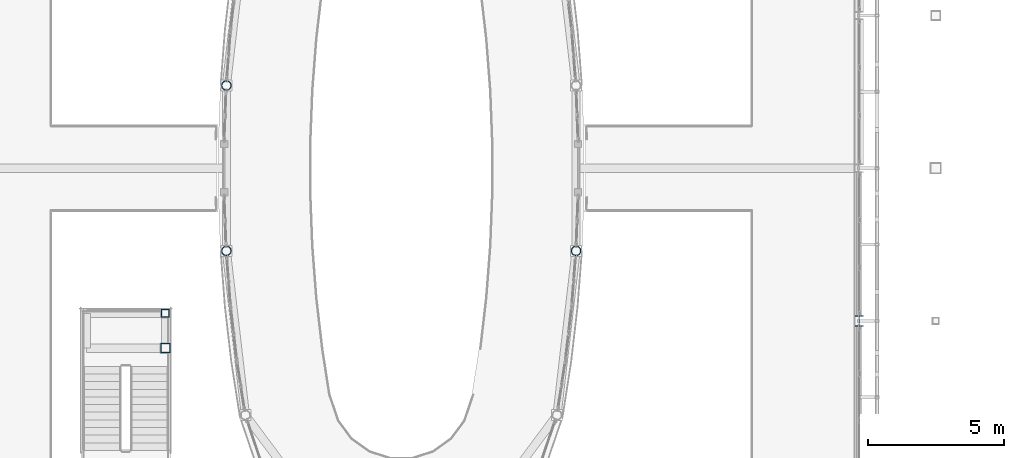
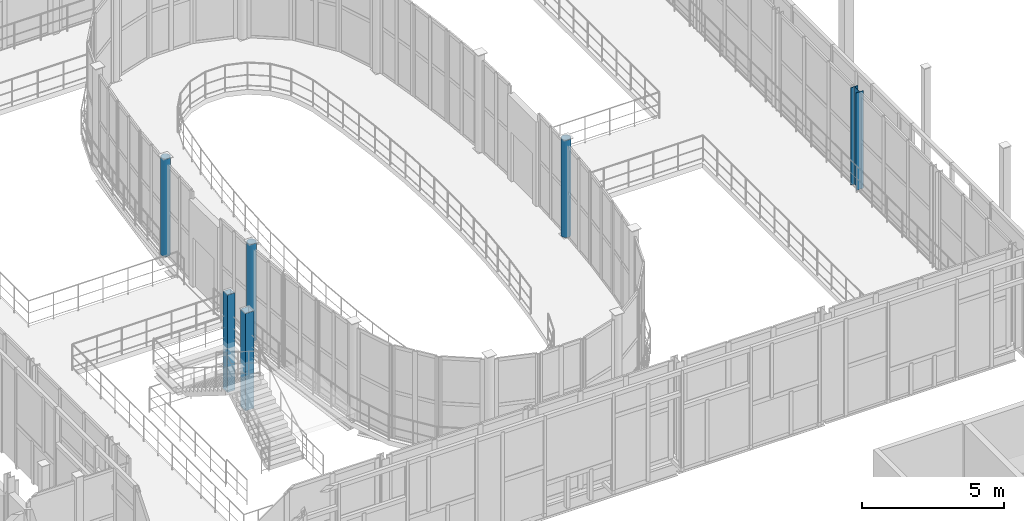
# One storey, part 9 of 138: 6 columns.
"""IFC4 building model written with IfcOpenShell, lengths in metres."""

from ifc_helpers import new_model, si_unit, direction, frame, origin, origin_2d, place, context, subcontext, project, spatial, hollow_rectangle, hollow_circle, i_section, extrude, material, material_profile, profile_set, type_object, element, save


model = new_model("IFC4")

# Units and contexts
model_context = context("Model", 3, precision=1e-05, world=origin(), true_north=direction((0.0, 1.0)))
body_context = subcontext(model_context, "Body", "Model", "MODEL_VIEW")
ifc_project = project(units=[si_unit("LENGTHUNIT", "METRE"), si_unit("AREAUNIT", "SQUARE_METRE"), si_unit("VOLUMEUNIT", "CUBIC_METRE"), si_unit("PLANEANGLEUNIT", "RADIAN"), si_unit("MASSUNIT", "GRAM", prefix="KILO")], contexts=[model_context])

# Site, building, storey
site_placement = place(None, origin())
site = spatial("IfcSite", under=ifc_project, at=site_placement, CompositionType="ELEMENT")
building_placement = place(site_placement, origin())
building = spatial("IfcBuilding", under=site, at=building_placement, Name="Vinh Khe Railworks Police Headquarters", CompositionType="ELEMENT")
storey_placement = place(building_placement, frame((0.0, 0.0, 9.0)))
storey = spatial("IfcBuildingStorey", under=building, at=storey_placement, Name="L02", CompositionType="ELEMENT", Elevation=9.0)

# Columns
ifc_material = material(Name="Steel S355JR", Category="steel")
ifc_material_profile_1 = material_profile(ifc_material, hollow_circle(Radius=0.177734375, WallThickness=0.01611328125, at=origin_2d()), Name="CHS 355.6x16")
ifc_profile_set_1 = profile_set([ifc_material_profile_1], Name="Steel S355JR")
column_type_1 = type_object("IfcColumnType", Name="Steel Column CHS 355.6x16", PredefinedType="COLUMN", material=ifc_profile_set_1)
for number, where, z_axis, x_axis, name in (
    (1, (36.78759765625, 38.968017578125, 0.0), (0.0, 0.0, 1.0), (-0.997039347045, -0.076893045491, 0.0), "Column COL-L02-SC-27-0832"),
    (2, (36.78759765625, 45.031982421875, 0.0), (0.0, 0.0, 1.0), (-0.999256201254, 0.038562212782, 0.0), "Column COL-L02-SC-27-0837"),
    (3, (49.6123046875, 38.968017578125, 0.0), (0.0, 0.0, 1.0), (0.999256201254, -0.038562212782, 0.0), "Column COL-L02-SC-27-0952"),
):
    element("IfcColumn", number, at=place(storey_placement, frame(where, z_axis=z_axis, x_axis=x_axis)), inside=storey, type_object=column_type_1, Name=name, PredefinedType="COLUMN", context=body_context, shape_type="SweptSolid", body=[
        extrude(hollow_circle(Radius=0.177734375, WallThickness=0.01611328125, at=origin_2d()), origin(), (0.0, 0.0, 1.0), 4.199951171875),
    ])
ifc_material_profile_2 = material_profile(ifc_material, i_section(OverallWidth=0.300048828125, OverallDepth=0.389892578125, WebThickness=0.010986328125, FlangeThickness=0.01904296875, FilletRadius=0.027099609375, at=origin_2d()), Name="HEA 400")
ifc_profile_set_2 = profile_set([ifc_material_profile_2], Name="Steel S355JR")
column_type_2 = type_object("IfcColumnType", Name="Steel Column HEA 400", PredefinedType="COLUMN", material=ifc_profile_set_2)
column_1_placement = place(storey_placement, frame((60.0, 36.39990234375, 0.0), z_axis=(0.0, 0.0, 1.0), x_axis=(1.0, 0.0, 0.0)))
element("IfcColumn", 4, at=column_1_placement, inside=storey, type_object=column_type_2, Name="Column COL-L02-SC-15-1020", PredefinedType="COLUMN", context=body_context, shape_type="SweptSolid", body=[
    extrude(i_section(OverallWidth=0.300048828125, OverallDepth=0.389892578125, WebThickness=0.010986328125, FlangeThickness=0.01904296875, FilletRadius=0.027099609375, at=origin_2d()), origin(), (0.0, 0.0, 1.0), 4.199951171875),
])
ifc_material_profile_3 = material_profile(ifc_material, hollow_rectangle(XDim=0.300048828125, YDim=0.300048828125, WallThickness=0.01611328125, at=origin_2d()), Name="SHS 300x300x16")
ifc_profile_set_3 = profile_set([ifc_material_profile_3], Name="Steel S355JR")
column_type_3 = type_object("IfcColumnType", Name="Steel Column SHS 300x300x16", PredefinedType="COLUMN", material=ifc_profile_set_3)
column_2_placement = place(storey_placement, frame((34.550048828125, 36.679931640625, 0.0), z_axis=(0.0, 0.0, 1.0), x_axis=(1.0, 0.0, 0.0)))
element("IfcColumn", 5, at=column_2_placement, inside=storey, type_object=column_type_3, Name="Column COL-L02-SC-23-0828", PredefinedType="COLUMN", context=body_context, shape_type="SweptSolid", body=[
    extrude(hollow_rectangle(XDim=0.300048828125, YDim=0.300048828125, WallThickness=0.01611328125, at=origin_2d()), origin(), (0.0, 0.0, 1.0), 4.199951171875),
])
ifc_material_profile_4 = material_profile(ifc_material, hollow_rectangle(XDim=0.35009765625, YDim=0.35009765625, WallThickness=0.01611328125, at=origin_2d()), Name="SHS 350x350x16")
ifc_profile_set_4 = profile_set([ifc_material_profile_4], Name="Steel S355JR")
column_type_4 = type_object("IfcColumnType", Name="Steel Column SHS 350x350x16", PredefinedType="COLUMN", material=ifc_profile_set_4)
column_3_placement = place(storey_placement, frame((34.550048828125, 35.39990234375, 0.0), z_axis=(0.0, 0.0, 1.0), x_axis=(1.0, 0.0, 0.0)))
element("IfcColumn", 6, at=column_3_placement, inside=storey, type_object=column_type_4, Name="Column COL-L02-SC-22-0824", PredefinedType="COLUMN", context=body_context, shape_type="SweptSolid", body=[
    extrude(hollow_rectangle(XDim=0.35009765625, YDim=0.35009765625, WallThickness=0.01611328125, at=origin_2d()), origin(), (0.0, 0.0, 1.0), 4.199951171875),
])

save(model, "model.ifc")
